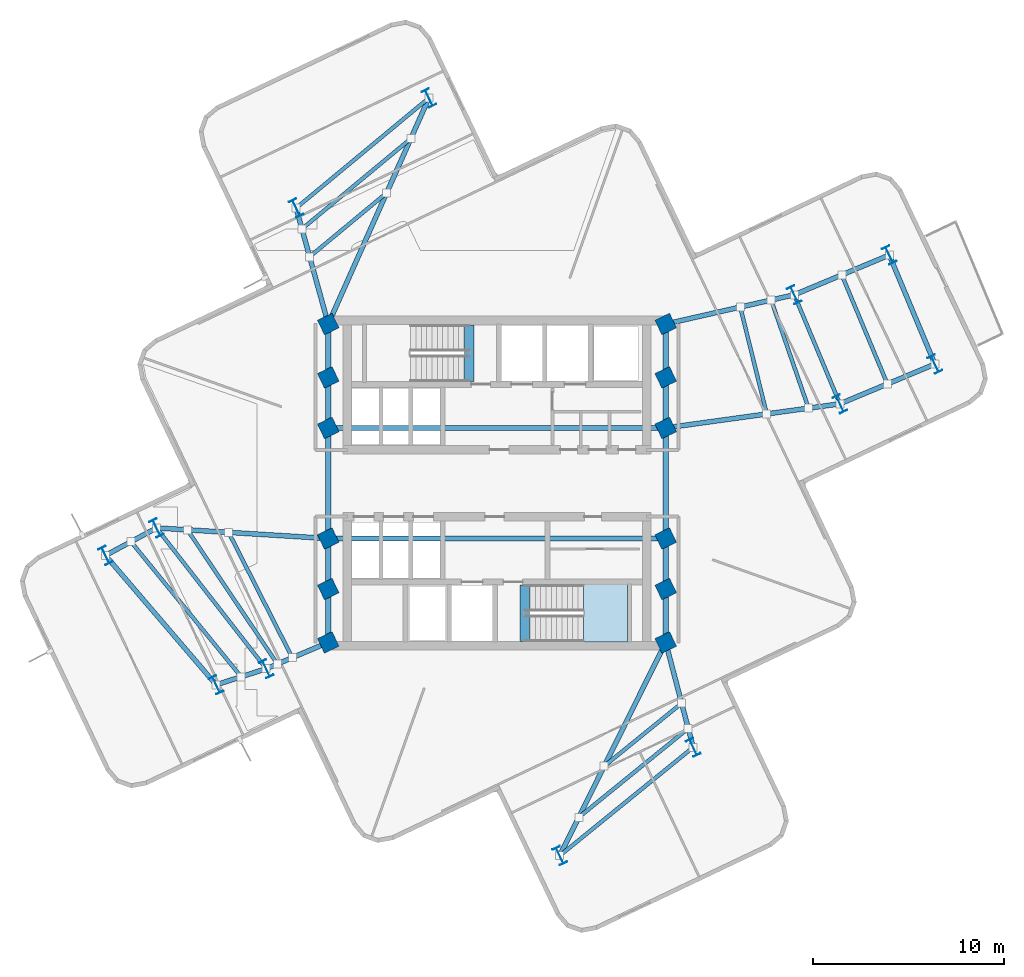
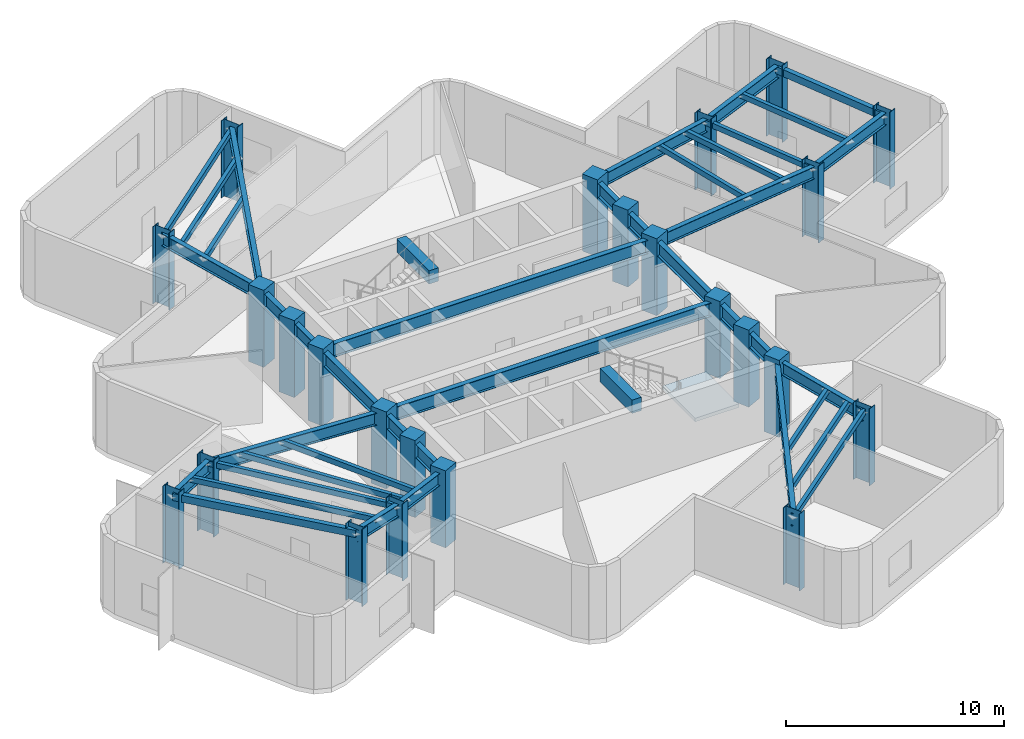
# One storey, part 1 of 7: 42 beams, 24 columns, 1 slab, 1 element without a shape of its own.
"""IFC4 building model written with IfcOpenShell, lengths in metres."""

from ifc_helpers import new_model, si_unit, direction, frame, origin, origin_2d, place, context, subcontext, project, spatial, polyline, rectangle, hollow_rectangle, i_section, outline, extrude, material, layer, layer_set, material_profile, profile_set, type_object, element, aggregate, save


model = new_model("IFC4")

# Units and contexts
model_context = context("Model", 3, precision=1e-05, world=origin(), true_north=direction((0.0, 1.0)))
body_context = subcontext(model_context, "Body", "Model", "MODEL_VIEW")
ifc_project = project(units=[si_unit("LENGTHUNIT", "METRE"), si_unit("AREAUNIT", "SQUARE_METRE"), si_unit("VOLUMEUNIT", "CUBIC_METRE"), si_unit("PLANEANGLEUNIT", "RADIAN"), si_unit("MASSUNIT", "GRAM", prefix="KILO")], contexts=[model_context])

# Site, building, storey
site_placement = place(None, origin())
site = spatial("IfcSite", under=ifc_project, at=site_placement, CompositionType="ELEMENT")
building_placement = place(site_placement, origin())
building = spatial("IfcBuilding", under=site, at=building_placement, Name="Solmarez Civic Tower", CompositionType="ELEMENT")
storey_placement = place(building_placement, frame((0.0, 0.0, 188.280029296875)))
storey = spatial("IfcBuildingStorey", under=building, at=storey_placement, Name="L50", CompositionType="ELEMENT", Elevation=188.280029296875)

# Columns
ifc_material_1 = material(Name="Concrete C50/60", Category="concrete")
ifc_material_profile_1 = material_profile(ifc_material_1, rectangle(XDim=0.85009765625, YDim=0.85009765625, at=origin_2d()), Name="RC850X850")
ifc_profile_set_1 = profile_set([ifc_material_profile_1], Name="Concrete C50/60")
column_type_1 = type_object("IfcColumnType", Name="COL-RC850", PredefinedType="COLUMN", material=ifc_profile_set_1)
for number, where, z_axis, x_axis, name in (
    (1, (-8.85009765625, -5.550048828125, 0.0), (0.0, 0.0, 1.0), (0.902885617815, 0.429880868547, 0.0), "L50 Structural Column HC1"),
    (2, (-8.85009765625, -2.89990234375, 0.0), (0.0, 0.0, 1.0), (0.902885617815, 0.429880868547, 0.0), "L50 Structural Column HC2"),
    (3, (-8.85009765625, 2.89990234375, 0.0), (0.0, 0.0, 1.0), (0.902885617815, 0.429880868547, 0.0), "L50 Structural Column HC3"),
    (4, (-8.85009765625, 5.550048828125, 0.0), (0.0, 0.0, 1.0), (0.902885617815, 0.429880868547, 0.0), "L50 Structural Column HC4"),
    (5, (8.85009765625, -5.550048828125, 0.0), (0.0, 0.0, 1.0), (0.902885617815, 0.429880868547, 0.0), "L50 Structural Column HC5"),
    (6, (8.85009765625, -2.89990234375, 0.0), (0.0, 0.0, 1.0), (0.902885617815, 0.429880868547, 0.0), "L50 Structural Column HC6"),
    (7, (8.85009765625, 2.89990234375, 0.0), (0.0, 0.0, 1.0), (0.902885617815, 0.429880868547, 0.0), "L50 Structural Column HC7"),
    (8, (8.85009765625, 5.550048828125, 0.0), (0.0, 0.0, 1.0), (0.902885617815, 0.429880868547, 0.0), "L50 Structural Column HC8"),
    (9, (-8.85009765625, 8.35009765625, 0.0), (0.0, 0.0, 1.0), (0.902885617815, 0.429880868547, 0.0), "L50 Structural Column HC9"),
    (10, (8.85009765625, -8.35009765625, 0.0), (0.0, 0.0, 1.0), (0.902885617815, 0.429880868547, 0.0), "L50 Structural Column HC10"),
    (11, (8.85009765625, 8.35009765625, 0.0), (0.0, 0.0, 1.0), (0.902885617815, 0.429880868547, 0.0), "L50 Structural Column HC11"),
    (12, (-8.85009765625, -8.35009765625, 0.0), (0.0, 0.0, 1.0), (0.902885617815, 0.429880868547, 0.0), "L50 Structural Column HC12"),
):
    element("IfcColumn", number, at=place(storey_placement, frame(where, z_axis=z_axis, x_axis=x_axis)), inside=storey, type_object=column_type_1, Name=name, PredefinedType="COLUMN", context=body_context, shape_type="SweptSolid", body=[
        extrude(rectangle(XDim=0.85009765625, YDim=0.85009765625, at=origin_2d()), origin(), (0.0, 0.0, 1.0), 4.320068359375),
    ])
ifc_material_2 = material(Name="Steel S355", Category="steel")
ifc_material_profile_2 = material_profile(ifc_material_2, i_section(OverallWidth=0.41796875, OverallDepth=0.927001953125, WebThickness=0.019287109375, FlangeThickness=0.031982421875, at=origin_2d()), Name="W36X231")
ifc_profile_set_2 = profile_set([ifc_material_profile_2], Name="Steel S355")
column_type_2 = type_object("IfcColumnType", Name="COL-W36X231", PredefinedType="COLUMN", material=ifc_profile_set_2)
for number, where, z_axis, x_axis, name in (
    (13, (17.987060546875, 4.1640625, 0.0), (0.0, 0.0, 1.0), (0.902885617815, 0.429880868547, 0.0), "L50 Structural Column EA11"),
    (14, (15.593994140625, 9.883056640625, 0.0), (0.0, 0.0, 1.0), (0.902885617815, 0.429880868547, 0.0), "L50 Structural Column EA12"),
    (15, (22.968017578125, 6.248046875, 0.0), (0.0, 0.0, 1.0), (0.902885617815, 0.429880868547, 0.0), "L50 Structural Column EA21"),
    (16, (20.575927734375, 11.967041015625, 0.0), (0.0, 0.0, 1.0), (0.902885617815, 0.429880868547, 0.0), "L50 Structural Column EA22"),
    (17, (-3.570068359375, 20.20703125, 0.0), (0.0, 0.0, 1.0), (0.902885617815, 0.429880868547, 0.0), "L50 Structural Column NA11"),
    (18, (-10.532958984375, 14.43310546875, 0.0), (0.0, 0.0, 1.0), (0.902885617815, 0.429880868547, 0.0), "L50 Structural Column NA12"),
    (19, (-17.85791015625, -2.345947265625, 0.0), (0.0, 0.0, 1.0), (0.902885617815, 0.429880868547, 0.0), "L50 Structural Column WA11"),
    (20, (-12.10595703125, -9.73095703125, 0.0), (0.0, 0.0, 1.0), (0.902885617815, 0.429880868547, 0.0), "L50 Structural Column WA12"),
    (21, (-20.534912109375, -3.7880859375, 0.0), (0.0, 0.0, 1.0), (0.902885617815, 0.429880868547, 0.0), "L50 Structural Column WA21"),
    (22, (-14.73095703125, -10.572998046875, 0.0), (0.0, 0.0, 1.0), (0.902885617815, 0.429880868547, 0.0), "L50 Structural Column WA22"),
    (23, (3.2900390625, -19.535888671875, 0.0), (0.0, 0.0, 1.0), (0.902885617815, 0.429880868547, 0.0), "L50 Structural Column SA11"),
    (24, (10.2900390625, -13.85009765625, 0.0), (0.0, 0.0, 1.0), (0.902885617815, 0.429880868547, 0.0), "L50 Structural Column SA12"),
):
    element("IfcColumn", number, at=place(storey_placement, frame(where, z_axis=z_axis, x_axis=x_axis)), inside=storey, type_object=column_type_2, Name=name, PredefinedType="COLUMN", context=body_context, shape_type="SweptSolid", body=[
        extrude(i_section(OverallWidth=0.41796875, OverallDepth=0.927001953125, WebThickness=0.019287109375, FlangeThickness=0.031982421875, at=origin_2d()), origin(), (0.0, 0.0, 1.0), 4.320068359375),
    ])

# Beams
ifc_material_profile_3 = material_profile(ifc_material_2, hollow_rectangle(XDim=0.199951171875, YDim=0.300048828125, WallThickness=0.011962890625, at=origin_2d()), Name="HSS300X200X12")
ifc_profile_set_3 = profile_set([ifc_material_profile_3], Name="Steel S355")
beam_type_1 = type_object("IfcBeamType", Name="BM-JS-HSS300X200", PredefinedType="JOIST", material=ifc_profile_set_3)
beam_1_placement = place(storey_placement, frame((17.987060546875, 4.1640625, 3.909912109375), z_axis=(-0.386010282684, 0.922494477849, 0.0), x_axis=(-0.922494477849, -0.386010282684, 0.0)))
element("IfcBeam", 25, at=beam_1_placement, inside=storey, type_object=beam_type_1, Name="L50 Secondary Floor Joist BM-L50-EA-T1", PredefinedType="JOIST", context=body_context, shape_type="SweptSolid", body=[
    extrude(hollow_rectangle(XDim=0.199951171875, YDim=0.300048828125, WallThickness=0.011962890625, at=origin_2d()), origin(), (0.0, 0.0, 1.0), 6.199462890625),
])
beam_2_placement = place(storey_placement, frame((20.47705078125, 5.2060546875, 3.909912109375), z_axis=(-0.385876218946, 0.922550564279, 0.0), x_axis=(-0.922550564279, -0.385876218946, 0.0)))
element("IfcBeam", 26, at=beam_2_placement, inside=storey, type_object=beam_type_1, Name="L50 Secondary Floor Joist JS-L50-EA-M2", PredefinedType="JOIST", context=body_context, shape_type="SweptSolid", body=[
    extrude(hollow_rectangle(XDim=0.199951171875, YDim=0.300048828125, WallThickness=0.011962890625, at=origin_2d()), origin(), (0.0, 0.0, 1.0), 6.19921875),
])
beam_3_placement = place(storey_placement, frame((14.14892578125, 3.633056640625, 3.909912109375), z_axis=(-0.240167471374, 0.970731469405, 0.0), x_axis=(-0.970731469405, -0.240167471374, 0.0)))
element("IfcBeam", 27, at=beam_3_placement, inside=storey, type_object=beam_type_1, Name="L50 Secondary Floor Joist JS-L50-EA-M11", PredefinedType="JOIST", context=body_context, shape_type="SweptSolid", body=[
    extrude(hollow_rectangle(XDim=0.199951171875, YDim=0.300048828125, WallThickness=0.011962890625, at=origin_2d()), origin(), (0.0, 0.0, 1.0), 5.77490234375),
])
beam_4_placement = place(storey_placement, frame((16.342041015625, 3.93603515625, 3.909912109375), z_axis=(-0.326984797789, 0.945029598486, 0.0), x_axis=(-0.945029598486, -0.326984797789, 0.0)))
element("IfcBeam", 28, at=beam_4_placement, inside=storey, type_object=beam_type_1, Name="L50 Secondary Floor Joist JS-L50-EA-M12", PredefinedType="JOIST", context=body_context, shape_type="SweptSolid", body=[
    extrude(hollow_rectangle(XDim=0.199951171875, YDim=0.300048828125, WallThickness=0.011962890625, at=origin_2d()), origin(), (0.0, 0.0, 1.0), 6.000732421875),
])
beam_5_placement = place(storey_placement, frame((-3.570068359375, 20.20703125, 3.909912109375), z_axis=(-0.769767664309, -0.638324167633, 0.0), x_axis=(0.638324167633, -0.769767664309, 0.0)))
element("IfcBeam", 29, at=beam_5_placement, inside=storey, type_object=beam_type_1, Name="L50 Secondary Floor Joist BM-L50-NA-T1", PredefinedType="JOIST", context=body_context, shape_type="SweptSolid", body=[
    extrude(hollow_rectangle(XDim=0.199951171875, YDim=0.300048828125, WallThickness=0.011962890625, at=origin_2d()), origin(), (0.0, 0.0, 1.0), 9.04541015625),
])
beam_6_placement = place(storey_placement, frame((-5.7880859375, 15.22705078125, 3.909912109375), z_axis=(-0.76969549019, -0.63841119381, 0.0), x_axis=(0.63841119381, -0.76969549019, 0.0)))
element("IfcBeam", 30, at=beam_6_placement, inside=storey, type_object=beam_type_1, Name="L50 Secondary Floor Joist JS-L50-NA-M11", PredefinedType="JOIST", context=body_context, shape_type="SweptSolid", body=[
    extrude(hollow_rectangle(XDim=0.199951171875, YDim=0.300048828125, WallThickness=0.011962890625, at=origin_2d()), origin(), (0.0, 0.0, 1.0), 5.24609375),
])
beam_7_placement = place(storey_placement, frame((-4.52001953125, 18.072998046875, 3.909912109375), z_axis=(-0.769756777075, -0.638337296535, 0.0), x_axis=(0.638337296535, -0.769756777075, 0.0)))
element("IfcBeam", 31, at=beam_7_placement, inside=storey, type_object=beam_type_1, Name="L50 Secondary Floor Joist JS-L50-NA-M12", PredefinedType="JOIST", context=body_context, shape_type="SweptSolid", body=[
    extrude(hollow_rectangle(XDim=0.199951171875, YDim=0.300048828125, WallThickness=0.011962890625, at=origin_2d()), origin(), (0.0, 0.0, 1.0), 7.41796875),
])
beam_8_placement = place(storey_placement, frame((-17.85791015625, -2.345947265625, 3.909912109375), z_axis=(0.614476744631, -0.788934934141, 0.0), x_axis=(0.788934934141, 0.614476744631, 0.0)))
element("IfcBeam", 32, at=beam_8_placement, inside=storey, type_object=beam_type_1, Name="L50 Secondary Floor Joist BM-L50-WA-T1", PredefinedType="JOIST", context=body_context, shape_type="SweptSolid", body=[
    extrude(hollow_rectangle(XDim=0.199951171875, YDim=0.300048828125, WallThickness=0.011962890625, at=origin_2d()), origin(), (0.0, 0.0, 1.0), 9.36083984375),
])
beam_9_placement = place(storey_placement, frame((-19.197021484375, -3.06689453125, 3.909912109375), z_axis=(0.632062174253, -0.77491767813, 0.0), x_axis=(0.77491767813, 0.632062174253, 0.0)))
element("IfcBeam", 33, at=beam_9_placement, inside=storey, type_object=beam_type_1, Name="L50 Secondary Floor Joist JS-L50-WA-M2", PredefinedType="JOIST", context=body_context, shape_type="SweptSolid", body=[
    extrude(hollow_rectangle(XDim=0.199951171875, YDim=0.300048828125, WallThickness=0.011962890625, at=origin_2d()), origin(), (0.0, 0.0, 1.0), 9.14306640625),
])
beam_10_placement = place(storey_placement, frame((-14.074951171875, -2.5791015625, 3.909912109375), z_axis=(0.452743410654, -0.891640849282, 0.0), x_axis=(0.891640849282, 0.452743410654, 0.0)))
element("IfcBeam", 34, at=beam_10_placement, inside=storey, type_object=beam_type_1, Name="L50 Secondary Floor Joist JS-L50-WA-M11", PredefinedType="JOIST", context=body_context, shape_type="SweptSolid", body=[
    extrude(hollow_rectangle(XDim=0.199951171875, YDim=0.300048828125, WallThickness=0.011962890625, at=origin_2d()), origin(), (0.0, 0.0, 1.0), 7.370361328125),
])
beam_11_placement = place(storey_placement, frame((-16.237060546875, -2.446044921875, 3.909912109375), z_axis=(0.556859935783, -0.830606412159, 0.0), x_axis=(0.830606412159, 0.556859935783, 0.0)))
element("IfcBeam", 35, at=beam_11_placement, inside=storey, type_object=beam_type_1, Name="L50 Secondary Floor Joist JS-L50-WA-M12", PredefinedType="JOIST", context=body_context, shape_type="SweptSolid", body=[
    extrude(hollow_rectangle(XDim=0.199951171875, YDim=0.300048828125, WallThickness=0.011962890625, at=origin_2d()), origin(), (0.0, 0.0, 1.0), 8.470703125),
])
beam_12_placement = place(storey_placement, frame((3.2900390625, -19.535888671875, 3.909912109375), z_axis=(0.776206737012, 0.630478470225, 0.0), x_axis=(-0.630478470225, 0.776206737012, 0.0)))
element("IfcBeam", 36, at=beam_12_placement, inside=storey, type_object=beam_type_1, Name="L50 Secondary Floor Joist BM-L50-SA-T1", PredefinedType="JOIST", context=body_context, shape_type="SweptSolid", body=[
    extrude(hollow_rectangle(XDim=0.199951171875, YDim=0.300048828125, WallThickness=0.011962890625, at=origin_2d()), origin(), (0.0, 0.0, 1.0), 9.018310546875),
])
beam_13_placement = place(storey_placement, frame((5.625, -14.837890625, 3.909912109375), z_axis=(0.776202509922, 0.630483674325, 0.0), x_axis=(-0.630483674325, 0.776202509922, 0.0)))
element("IfcBeam", 37, at=beam_13_placement, inside=storey, type_object=beam_type_1, Name="L50 Secondary Floor Joist JS-L50-SA-M11", PredefinedType="JOIST", context=body_context, shape_type="SweptSolid", body=[
    extrude(hollow_rectangle(XDim=0.199951171875, YDim=0.300048828125, WallThickness=0.011962890625, at=origin_2d()), origin(), (0.0, 0.0, 1.0), 5.230712890625),
])
beam_14_placement = place(storey_placement, frame((4.291015625, -17.52294921875, 3.909912109375), z_axis=(0.776173575786, 0.630519294115, 0.0), x_axis=(-0.630519294115, 0.776173575786, 0.0)))
element("IfcBeam", 38, at=beam_14_placement, inside=storey, type_object=beam_type_1, Name="L50 Secondary Floor Joist JS-L50-SA-M12", PredefinedType="JOIST", context=body_context, shape_type="SweptSolid", body=[
    extrude(hollow_rectangle(XDim=0.199951171875, YDim=0.300048828125, WallThickness=0.011962890625, at=origin_2d()), origin(), (0.0, 0.0, 1.0), 7.395263671875),
])
ifc_material_profile_4 = material_profile(ifc_material_1, rectangle(XDim=0.5, YDim=0.75, at=origin_2d()), Name="RC500X750")
ifc_profile_set_4 = profile_set([ifc_material_profile_4], Name="Concrete C50/60")
beam_type_2 = type_object("IfcBeamType", Name="BM-PR-RC500X750", PredefinedType="BEAM", material=ifc_profile_set_4)
for number, where, z_axis, x_axis, name in (
    (39, (-1.449951171875, 5.340087890625, 3.952880859375), (0.0, 1.0, 0.0), (-1.0, 0.0, 0.0), "L50 North Stair Threshold Beam"),
    (40, (1.449951171875, -8.300048828125, 3.952880859375), (0.0, 1.0, 0.0), (-1.0, 0.0, 0.0), "L50 South Stair Threshold Beam"),
):
    element("IfcBeam", number, at=place(storey_placement, frame(where, z_axis=z_axis, x_axis=x_axis)), inside=storey, type_object=beam_type_2, Name=name, PredefinedType="BEAM", context=body_context, shape_type="SweptSolid", body=[
        extrude(rectangle(XDim=0.5, YDim=0.75, at=origin_2d()), origin(), (0.0, 0.0, 1.0), 2.9599609375),
    ])
ifc_material_profile_5 = material_profile(ifc_material_2, i_section(OverallWidth=0.25390625, OverallDepth=0.68798828125, WebThickness=0.01318359375, FlangeThickness=0.02099609375, at=origin_2d()), Name="W27X102")
ifc_profile_set_5 = profile_set([ifc_material_profile_5], Name="Steel S355")
beam_type_3 = type_object("IfcBeamType", Name="BM-PR-W27X102", PredefinedType="BEAM", material=ifc_profile_set_5)
beam_15_placement = place(storey_placement, frame((8.85009765625, 2.89990234375, 3.716064453125), z_axis=(0.990563968355, 0.137051175101, 0.0), x_axis=(-0.137051175101, 0.990563968355, 0.0)))
element("IfcBeam", 41, at=beam_15_placement, inside=storey, type_object=beam_type_3, Name="L50 Primary Floor Beam BM-L50-EA-R1A", PredefinedType="BEAM", context=body_context, shape_type="SweptSolid", body=[
    extrude(i_section(OverallWidth=0.25390625, OverallDepth=0.68798828125, WebThickness=0.01318359375, FlangeThickness=0.02099609375, at=origin_2d()), origin(), (0.0, 0.0, 1.0), 9.22412109375),
])
beam_16_placement = place(storey_placement, frame((8.85009765625, 8.35009765625, 3.716064453125), z_axis=(0.975124879448, 0.221656196577, 0.0), x_axis=(-0.221656196577, 0.975124879448, 0.0)))
element("IfcBeam", 42, at=beam_16_placement, inside=storey, type_object=beam_type_3, Name="L50 Primary Floor Beam BM-L50-EA-R1B", PredefinedType="BEAM", context=body_context, shape_type="SweptSolid", body=[
    extrude(i_section(OverallWidth=0.25390625, OverallDepth=0.68798828125, WebThickness=0.01318359375, FlangeThickness=0.02099609375, at=origin_2d()), origin(), (0.0, 0.0, 1.0), 6.916015625),
])
beam_17_placement = place(storey_placement, frame((17.987060546875, 4.1640625, 3.716064453125), z_axis=(0.922511388683, 0.385969866376, 0.0), x_axis=(-0.385969866376, 0.922511388683, 0.0)))
element("IfcBeam", 43, at=beam_17_placement, inside=storey, type_object=beam_type_3, Name="L50 Primary Floor Beam BM-L50-EA-R2A", PredefinedType="BEAM", context=body_context, shape_type="SweptSolid", body=[
    extrude(i_section(OverallWidth=0.25390625, OverallDepth=0.68798828125, WebThickness=0.01318359375, FlangeThickness=0.02099609375, at=origin_2d()), origin(), (0.0, 0.0, 1.0), 5.3994140625),
])
beam_18_placement = place(storey_placement, frame((15.593994140625, 9.883056640625, 3.716064453125), z_axis=(0.922538326171, 0.385905476438, 0.0), x_axis=(-0.385905476438, 0.922538326171, 0.0)))
element("IfcBeam", 44, at=beam_18_placement, inside=storey, type_object=beam_type_3, Name="L50 Primary Floor Beam BM-L50-EA-R2B", PredefinedType="BEAM", context=body_context, shape_type="SweptSolid", body=[
    extrude(i_section(OverallWidth=0.25390625, OverallDepth=0.68798828125, WebThickness=0.01318359375, FlangeThickness=0.02099609375, at=origin_2d()), origin(), (0.0, 0.0, 1.0), 5.400146484375),
])
beam_19_placement = place(storey_placement, frame((-8.85009765625, 8.35009765625, 3.716064453125), z_axis=(0.406799805731, 0.9135173332, 0.0), x_axis=(-0.9135173332, 0.406799805731, 0.0)))
element("IfcBeam", 45, at=beam_19_placement, inside=storey, type_object=beam_type_3, Name="L50 Primary Floor Beam BM-L50-NA-R1A", PredefinedType="BEAM", context=body_context, shape_type="SweptSolid", body=[
    extrude(i_section(OverallWidth=0.25390625, OverallDepth=0.68798828125, WebThickness=0.01318359375, FlangeThickness=0.02099609375, at=origin_2d()), origin(), (0.0, 0.0, 1.0), 12.9794921875),
])
beam_20_placement = place(storey_placement, frame((-8.85009765625, 8.35009765625, 3.716064453125), z_axis=(-0.266634219494, 0.963797796737, 0.0), x_axis=(-0.963797796737, -0.266634219494, 0.0)))
element("IfcBeam", 46, at=beam_20_placement, inside=storey, type_object=beam_type_3, Name="L50 Primary Floor Beam BM-L50-NA-R1B", PredefinedType="BEAM", context=body_context, shape_type="SweptSolid", body=[
    extrude(i_section(OverallWidth=0.25390625, OverallDepth=0.68798828125, WebThickness=0.01318359375, FlangeThickness=0.02099609375, at=origin_2d()), origin(), (0.0, 0.0, 1.0), 6.3115234375),
])
beam_21_placement = place(storey_placement, frame((-8.85009765625, -2.89990234375, 3.716064453125), z_axis=(-0.998114395047, 0.061381221877, 0.0), x_axis=(-0.061381221877, -0.998114395047, 0.0)))
element("IfcBeam", 47, at=beam_21_placement, inside=storey, type_object=beam_type_3, Name="L50 Primary Floor Beam BM-L50-WA-R1A", PredefinedType="BEAM", context=body_context, shape_type="SweptSolid", body=[
    extrude(i_section(OverallWidth=0.25390625, OverallDepth=0.68798828125, WebThickness=0.01318359375, FlangeThickness=0.02099609375, at=origin_2d()), origin(), (0.0, 0.0, 1.0), 9.02490234375),
])
beam_22_placement = place(storey_placement, frame((-8.85009765625, -8.35009765625, 3.716064453125), z_axis=(-0.920623894701, -0.390450566019, 0.0), x_axis=(0.390450566019, -0.920623894701, 0.0)))
element("IfcBeam", 48, at=beam_22_placement, inside=storey, type_object=beam_type_3, Name="L50 Primary Floor Beam BM-L50-WA-R1B", PredefinedType="BEAM", context=body_context, shape_type="SweptSolid", body=[
    extrude(i_section(OverallWidth=0.25390625, OverallDepth=0.68798828125, WebThickness=0.01318359375, FlangeThickness=0.02099609375, at=origin_2d()), origin(), (0.0, 0.0, 1.0), 3.53662109375),
])
beam_23_placement = place(storey_placement, frame((-17.85791015625, -2.345947265625, 3.716064453125), z_axis=(-0.880378270924, -0.474272179329, 0.0), x_axis=(0.474272179329, -0.880378270924, 0.0)))
element("IfcBeam", 49, at=beam_23_placement, inside=storey, type_object=beam_type_3, Name="L50 Primary Floor Beam BM-L50-WA-R2A", PredefinedType="BEAM", context=body_context, shape_type="SweptSolid", body=[
    extrude(i_section(OverallWidth=0.25390625, OverallDepth=0.68798828125, WebThickness=0.01318359375, FlangeThickness=0.02099609375, at=origin_2d()), origin(), (0.0, 0.0, 1.0), 3.040771484375),
])
beam_24_placement = place(storey_placement, frame((-12.10595703125, -9.73095703125, 3.716064453125), z_axis=(-0.952208998703, -0.305447250421, 0.0), x_axis=(0.305447250421, -0.952208998703, 0.0)))
element("IfcBeam", 50, at=beam_24_placement, inside=storey, type_object=beam_type_3, Name="L50 Primary Floor Beam BM-L50-WA-R2B", PredefinedType="BEAM", context=body_context, shape_type="SweptSolid", body=[
    extrude(i_section(OverallWidth=0.25390625, OverallDepth=0.68798828125, WebThickness=0.01318359375, FlangeThickness=0.02099609375, at=origin_2d()), origin(), (0.0, 0.0, 1.0), 2.7568359375),
])
beam_25_placement = place(storey_placement, frame((8.85009765625, -8.35009765625, 3.716064453125), z_axis=(-0.44510935737, -0.895476219663, 0.0), x_axis=(0.895476219663, -0.44510935737, 0.0)))
element("IfcBeam", 51, at=beam_25_placement, inside=storey, type_object=beam_type_3, Name="L50 Primary Floor Beam BM-L50-SA-R1A", PredefinedType="BEAM", context=body_context, shape_type="SweptSolid", body=[
    extrude(i_section(OverallWidth=0.25390625, OverallDepth=0.68798828125, WebThickness=0.01318359375, FlangeThickness=0.02099609375, at=origin_2d()), origin(), (0.0, 0.0, 1.0), 12.491455078125),
])
beam_26_placement = place(storey_placement, frame((8.85009765625, -8.35009765625, 3.716064453125), z_axis=(0.253271365575, -0.967395273598, 0.0), x_axis=(0.967395273598, 0.253271365575, 0.0)))
element("IfcBeam", 52, at=beam_26_placement, inside=storey, type_object=beam_type_3, Name="L50 Primary Floor Beam BM-L50-SA-R1B", PredefinedType="BEAM", context=body_context, shape_type="SweptSolid", body=[
    extrude(i_section(OverallWidth=0.25390625, OverallDepth=0.68798828125, WebThickness=0.01318359375, FlangeThickness=0.02099609375, at=origin_2d()), origin(), (0.0, 0.0, 1.0), 5.685302734375),
])
ifc_material_profile_6 = material_profile(ifc_material_2, i_section(OverallWidth=0.26708984375, OverallDepth=0.761962890625, WebThickness=0.014404296875, FlangeThickness=0.021484375, at=origin_2d()), Name="W30X116")
ifc_profile_set_6 = profile_set([ifc_material_profile_6], Name="Steel S355")
beam_type_4 = type_object("IfcBeamType", Name="BM-PR-W30X116", PredefinedType="BEAM", material=ifc_profile_set_6)
beam_27_placement = place(storey_placement, frame((-8.85009765625, -8.35009765625, 3.678955078125), z_axis=(0.0, 1.0, 0.0), x_axis=(-1.0, 0.0, 0.0)))
element("IfcBeam", 53, at=beam_27_placement, inside=storey, type_object=beam_type_4, Name="L50 Primary Floor Beam BM-L50-HC12-HC1", PredefinedType="BEAM", context=body_context, shape_type="SweptSolid", body=[
    extrude(i_section(OverallWidth=0.26708984375, OverallDepth=0.761962890625, WebThickness=0.014404296875, FlangeThickness=0.021484375, at=origin_2d()), origin(), (0.0, 0.0, 1.0), 2.800048828125),
])
beam_28_placement = place(storey_placement, frame((-8.85009765625, -5.550048828125, 3.678955078125), z_axis=(0.0, 1.0, 0.0), x_axis=(-1.0, 0.0, 0.0)))
element("IfcBeam", 54, at=beam_28_placement, inside=storey, type_object=beam_type_4, Name="L50 Primary Floor Beam BM-L50-HC1-HC2", PredefinedType="BEAM", context=body_context, shape_type="SweptSolid", body=[
    extrude(i_section(OverallWidth=0.26708984375, OverallDepth=0.761962890625, WebThickness=0.014404296875, FlangeThickness=0.021484375, at=origin_2d()), origin(), (0.0, 0.0, 1.0), 2.650146484375),
])
beam_29_placement = place(storey_placement, frame((-8.85009765625, -2.89990234375, 3.678955078125), z_axis=(0.0, 1.0, 0.0), x_axis=(-1.0, 0.0, 0.0)))
element("IfcBeam", 55, at=beam_29_placement, inside=storey, type_object=beam_type_4, Name="L50 Primary Floor Beam BM-L50-HC2-HC3", PredefinedType="BEAM", context=body_context, shape_type="SweptSolid", body=[
    extrude(i_section(OverallWidth=0.26708984375, OverallDepth=0.761962890625, WebThickness=0.014404296875, FlangeThickness=0.021484375, at=origin_2d()), origin(), (0.0, 0.0, 1.0), 5.7998046875),
])
beam_30_placement = place(storey_placement, frame((-8.85009765625, 2.89990234375, 3.678955078125), z_axis=(0.0, 1.0, 0.0), x_axis=(-1.0, 0.0, 0.0)))
element("IfcBeam", 56, at=beam_30_placement, inside=storey, type_object=beam_type_4, Name="L50 Primary Floor Beam BM-L50-HC3-HC4", PredefinedType="BEAM", context=body_context, shape_type="SweptSolid", body=[
    extrude(i_section(OverallWidth=0.26708984375, OverallDepth=0.761962890625, WebThickness=0.014404296875, FlangeThickness=0.021484375, at=origin_2d()), origin(), (0.0, 0.0, 1.0), 2.650146484375),
])
for number, where, z_axis, x_axis, name in (
    (57, (-8.85009765625, 5.550048828125, 3.678955078125), (0.0, 1.0, 0.0), (-1.0, 0.0, 0.0), "L50 Primary Floor Beam BM-L50-HC4-HC9"),
    (58, (8.85009765625, -8.35009765625, 3.678955078125), (0.0, 1.0, 0.0), (-1.0, 0.0, 0.0), "L50 Primary Floor Beam BM-L50-HC10-HC5"),
):
    element("IfcBeam", number, at=place(storey_placement, frame(where, z_axis=z_axis, x_axis=x_axis)), inside=storey, type_object=beam_type_4, Name=name, PredefinedType="BEAM", context=body_context, shape_type="SweptSolid", body=[
        extrude(i_section(OverallWidth=0.26708984375, OverallDepth=0.761962890625, WebThickness=0.014404296875, FlangeThickness=0.021484375, at=origin_2d()), origin(), (0.0, 0.0, 1.0), 2.800048828125),
    ])
beam_31_placement = place(storey_placement, frame((8.85009765625, -5.550048828125, 3.678955078125), z_axis=(0.0, 1.0, 0.0), x_axis=(-1.0, 0.0, 0.0)))
element("IfcBeam", 59, at=beam_31_placement, inside=storey, type_object=beam_type_4, Name="L50 Primary Floor Beam BM-L50-HC5-HC6", PredefinedType="BEAM", context=body_context, shape_type="SweptSolid", body=[
    extrude(i_section(OverallWidth=0.26708984375, OverallDepth=0.761962890625, WebThickness=0.014404296875, FlangeThickness=0.021484375, at=origin_2d()), origin(), (0.0, 0.0, 1.0), 2.650146484375),
])
beam_32_placement = place(storey_placement, frame((8.85009765625, -2.89990234375, 3.678955078125), z_axis=(0.0, 1.0, 0.0), x_axis=(-1.0, 0.0, 0.0)))
element("IfcBeam", 60, at=beam_32_placement, inside=storey, type_object=beam_type_4, Name="L50 Primary Floor Beam BM-L50-HC6-HC7", PredefinedType="BEAM", context=body_context, shape_type="SweptSolid", body=[
    extrude(i_section(OverallWidth=0.26708984375, OverallDepth=0.761962890625, WebThickness=0.014404296875, FlangeThickness=0.021484375, at=origin_2d()), origin(), (0.0, 0.0, 1.0), 5.7998046875),
])
beam_33_placement = place(storey_placement, frame((8.85009765625, 2.89990234375, 3.678955078125), z_axis=(0.0, 1.0, 0.0), x_axis=(-1.0, 0.0, 0.0)))
element("IfcBeam", 61, at=beam_33_placement, inside=storey, type_object=beam_type_4, Name="L50 Primary Floor Beam BM-L50-HC7-HC8", PredefinedType="BEAM", context=body_context, shape_type="SweptSolid", body=[
    extrude(i_section(OverallWidth=0.26708984375, OverallDepth=0.761962890625, WebThickness=0.014404296875, FlangeThickness=0.021484375, at=origin_2d()), origin(), (0.0, 0.0, 1.0), 2.650146484375),
])
beam_34_placement = place(storey_placement, frame((8.85009765625, 5.550048828125, 3.678955078125), z_axis=(0.0, 1.0, 0.0), x_axis=(-1.0, 0.0, 0.0)))
element("IfcBeam", 62, at=beam_34_placement, inside=storey, type_object=beam_type_4, Name="L50 Primary Floor Beam BM-L50-HC8-HC11", PredefinedType="BEAM", context=body_context, shape_type="SweptSolid", body=[
    extrude(i_section(OverallWidth=0.26708984375, OverallDepth=0.761962890625, WebThickness=0.014404296875, FlangeThickness=0.021484375, at=origin_2d()), origin(), (0.0, 0.0, 1.0), 2.800048828125),
])
for number, where, z_axis, x_axis, name in (
    (63, (-8.85009765625, -2.89990234375, 3.678955078125), (1.0, 0.0, 0.0), (0.0, 1.0, 0.0), "L50 Primary Floor Beam BM-L50-HC2-HC6"),
    (64, (-8.85009765625, 2.89990234375, 3.678955078125), (1.0, 0.0, 0.0), (0.0, 1.0, 0.0), "L50 Primary Floor Beam BM-L50-HC3-HC7"),
):
    element("IfcBeam", number, at=place(storey_placement, frame(where, z_axis=z_axis, x_axis=x_axis)), inside=storey, type_object=beam_type_4, Name=name, PredefinedType="BEAM", context=body_context, shape_type="SweptSolid", body=[
        extrude(i_section(OverallWidth=0.26708984375, OverallDepth=0.761962890625, WebThickness=0.014404296875, FlangeThickness=0.021484375, at=origin_2d()), origin(), (0.0, 0.0, 1.0), 17.7001953125),
    ])
ifc_material_profile_7 = material_profile(ifc_material_2, hollow_rectangle(XDim=0.25, YDim=0.39990234375, WallThickness=0.01611328125, at=origin_2d()), Name="HSS400X250X16")
ifc_profile_set_7 = profile_set([ifc_material_profile_7], Name="Steel S355")
beam_type_5 = type_object("IfcBeamType", Name="BM-SP-HSS400X250", PredefinedType="SPANDREL", material=ifc_profile_set_7)
beam_35_placement = place(storey_placement, frame((22.968017578125, 6.248046875, 3.85986328125), z_axis=(-0.385876218946, 0.922550564279, 0.0), x_axis=(-0.922550564279, -0.385876218946, 0.0)))
element("IfcBeam", 65, at=beam_35_placement, inside=storey, type_object=beam_type_5, Name="L50 Perimeter Spandrel Beam BM-L50-EA-T2", PredefinedType="SPANDREL", context=body_context, shape_type="SweptSolid", body=[
    extrude(hollow_rectangle(XDim=0.25, YDim=0.39990234375, WallThickness=0.01611328125, at=origin_2d()), origin(), (0.0, 0.0, 1.0), 6.19921875),
])
beam_36_placement = place(storey_placement, frame((-20.534912109375, -3.7880859375, 3.85986328125), z_axis=(0.650036693718, -0.759902820642, 0.0), x_axis=(0.759902820642, 0.650036693718, 0.0)))
element("IfcBeam", 66, at=beam_36_placement, inside=storey, type_object=beam_type_5, Name="L50 Perimeter Spandrel Beam BM-L50-WA-T2", PredefinedType="SPANDREL", context=body_context, shape_type="SweptSolid", body=[
    extrude(hollow_rectangle(XDim=0.25, YDim=0.39990234375, WallThickness=0.01611328125, at=origin_2d()), origin(), (0.0, 0.0, 1.0), 8.9287109375),
])

# Stair, slab
stair_type = type_object("IfcStairType", Name="STAIR-DOGLEG-140W-24R-1800", PredefinedType="HALF_TURN_STAIR", material=ifc_material_1)
stair_placement = place(storey_placement, origin())
stair = element("IfcStair", 67, at=stair_placement, inside=storey, type_object=stair_type, Name="L50 South Core Protected Exit Stair ST-2", PredefinedType="HALF_TURN_STAIR")
ifc_layer = layer(ifc_material_1, 0.199951171875)
ifc_layer_set = layer_set([ifc_layer], Name="Concrete C50/60")
slab_type = type_object("IfcSlabType", Name="SLAB-LANDING-200", PredefinedType="LANDING", material=ifc_layer_set)
slab_placement = place(storey_placement, frame((0.0, 0.0, 1.9599609375)))
slab = element("IfcSlab", 68, at=slab_placement, type_object=slab_type, Name="ST-2 landing 1", PredefinedType="LANDING", context=body_context, shape_type="SweptSolid", body=[
    extrude(outline(polyline([(4.530029296875, -8.320068359375), (6.85009765625, -8.320068359375), (6.85009765625, -5.320068359375), (4.530029296875, -5.320068359375), (4.530029296875, -8.320068359375)])), origin(), (0.0, 0.0, 1.0), 0.199951171875),
])
aggregate(stair, [slab])

save(model, "model.ifc")
